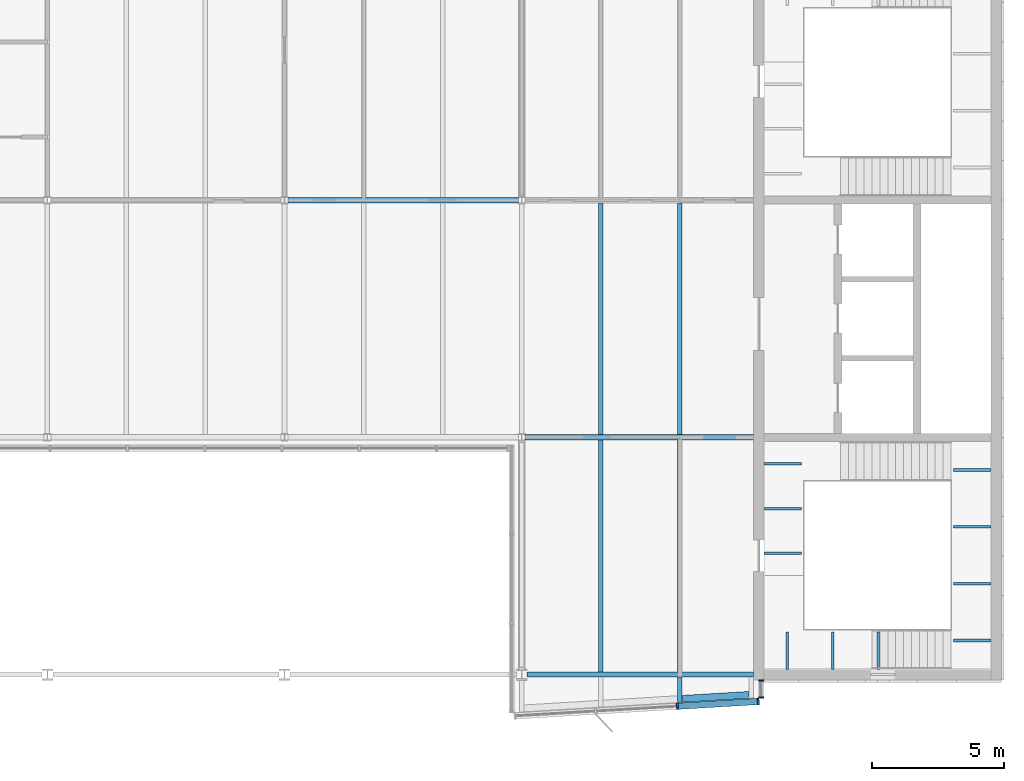
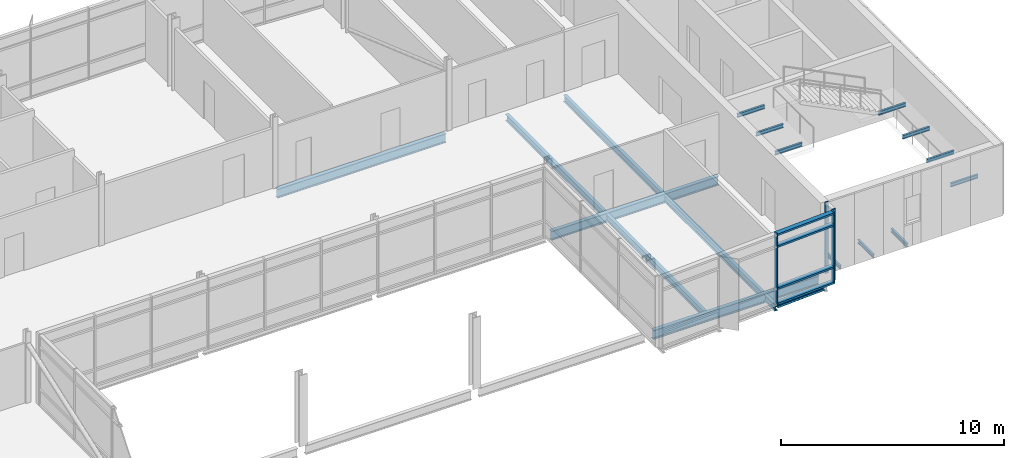
# One storey, part 7 of 20: 19 beams, 8 members, 2 elements without a shape of their own.
"""IFC4 building model written with IfcOpenShell, lengths in metres."""

from ifc_helpers import new_model, si_unit, direction, frame, origin, origin_2d, place, context, subcontext, project, spatial, rectangle, i_section, extrude, material, material_profile, profile_set, type_object, element, aggregate, save


model = new_model("IFC4")

# Units and contexts
model_context = context("Model", 3, precision=1e-05, world=origin(), true_north=direction((0.0, 1.0)))
body_context = subcontext(model_context, "Body", "Model", "MODEL_VIEW")
ifc_project = project(units=[si_unit("LENGTHUNIT", "METRE"), si_unit("AREAUNIT", "SQUARE_METRE"), si_unit("VOLUMEUNIT", "CUBIC_METRE"), si_unit("PLANEANGLEUNIT", "RADIAN"), si_unit("MASSUNIT", "GRAM", prefix="KILO")], contexts=[model_context])

# Site, building, storey
site_placement = place(None, origin())
site = spatial("IfcSite", under=ifc_project, at=site_placement, CompositionType="ELEMENT")
building_placement = place(site_placement, origin())
building = spatial("IfcBuilding", under=site, at=building_placement, Name="Azimuth Sports and Learning Centre", CompositionType="ELEMENT")
storey_placement = place(building_placement, frame((0.0, 0.0, 71.39990234375)))
storey = spatial("IfcBuildingStorey", under=building, at=storey_placement, Name="L16", CompositionType="ELEMENT", Elevation=71.39990234375)

# Beams
ifc_material_1 = material(Name="Steel S355", Category="steel")
ifc_material_profile_1 = material_profile(ifc_material_1, i_section(OverallWidth=0.10009765625, OverallDepth=0.199951171875, WebThickness=0.005615234375, FlangeThickness=0.008544921875, FilletRadius=0.011962890625, at=origin_2d()), Name="IPE 200")
ifc_profile_set_1 = profile_set([ifc_material_profile_1], Name="Steel S355")
beam_type_1 = type_object("IfcBeamType", Name="Beam IPE 200", PredefinedType="BEAM", material=ifc_profile_set_1)
for number, where, z_axis, x_axis, name in (
    (1, (109.0732421875, 90.199951171875, -0.2998046875), (0.0, 1.0, 0.0), (-1.0, 0.0, 0.0), "Landing bracket E1 L16 515"),
    (2, (110.800048828125, 90.199951171875, -0.2998046875), (0.0, 1.0, 0.0), (-1.0, 0.0, 0.0), "Landing bracket E1 L16 516"),
    (3, (112.526611328125, 90.199951171875, -0.2998046875), (0.0, 1.0, 0.0), (-1.0, 0.0, 0.0), "Landing bracket E1 L16 517"),
    (4, (116.800048828125, 91.288818359375, 1.35009765625), (-1.0, 0.0, 0.0), (0.0, -1.0, 0.0), "Landing bracket E1 L16 518"),
    (5, (116.800048828125, 93.4462890625, 1.35009765625), (-1.0, 0.0, 0.0), (0.0, -1.0, 0.0), "Landing bracket E1 L16 519"),
    (6, (116.800048828125, 95.603759765625, 1.35009765625), (-1.0, 0.0, 0.0), (0.0, -1.0, 0.0), "Landing bracket E1 L16 520"),
    (7, (116.800048828125, 97.76123046875, 1.35009765625), (-1.0, 0.0, 0.0), (0.0, -1.0, 0.0), "Landing bracket E1 L16 521"),
    (8, (108.199951171875, 94.598388671875, 3.60009765625), (1.0, 0.0, 0.0), (0.0, 1.0, 0.0), "Landing bracket E1 L16 522"),
    (9, (108.199951171875, 96.294921875, 3.60009765625), (1.0, 0.0, 0.0), (0.0, 1.0, 0.0), "Landing bracket E1 L16 523"),
    (10, (108.199951171875, 97.99169921875, 3.60009765625), (1.0, 0.0, 0.0), (0.0, 1.0, 0.0), "Landing bracket E1 L16 524"),
):
    element("IfcBeam", number, at=place(storey_placement, frame(where, z_axis=z_axis, x_axis=x_axis)), inside=storey, type_object=beam_type_1, Name=name, PredefinedType="BEAM", context=body_context, shape_type="SweptSolid", body=[
        extrude(i_section(OverallWidth=0.10009765625, OverallDepth=0.199951171875, WebThickness=0.005615234375, FlangeThickness=0.008544921875, FilletRadius=0.011962890625, at=origin_2d()), origin(), (0.0, 0.0, 1.0), 1.41015625),
    ])
ifc_material_2 = material(Name="Steel S355", Category="steel")
ifc_material_profile_2 = material_profile(ifc_material_2, i_section(OverallWidth=0.199951171875, OverallDepth=0.5, WebThickness=0.01025390625, FlangeThickness=0.01611328125, FilletRadius=0.02099609375, at=origin_2d()), Name="IPE 500")
ifc_profile_set_2 = profile_set([ifc_material_profile_2], Name="Steel S355")
beam_type_2 = type_object("IfcBeamType", Name="Beam IPE 500", PredefinedType="BEAM", material=ifc_profile_set_2)
beam_1_placement = place(storey_placement, frame((99.2060546875, 90.0, -0.3798828125), z_axis=(1.0, 0.0, 0.0), x_axis=(0.0, 1.0, 0.0)))
element("IfcBeam", 11, at=beam_1_placement, inside=storey, type_object=beam_type_2, Name="Tower girder L16", PredefinedType="BEAM", context=body_context, shape_type="SweptSolid", body=[
    extrude(i_section(OverallWidth=0.199951171875, OverallDepth=0.5, WebThickness=0.01025390625, FlangeThickness=0.01611328125, FilletRadius=0.02099609375, at=origin_2d()), origin(), (0.0, 0.0, 1.0), 8.593994140625),
])
beam_2_placement = place(storey_placement, frame((99.1298828125, 99.0, -0.3798828125), z_axis=(1.0, 0.0, 0.0), x_axis=(0.0, 1.0, 0.0)))
element("IfcBeam", 12, at=beam_2_placement, inside=storey, type_object=beam_type_2, Name="Tower girder L16", PredefinedType="BEAM", context=body_context, shape_type="SweptSolid", body=[
    extrude(i_section(OverallWidth=0.199951171875, OverallDepth=0.5, WebThickness=0.01025390625, FlangeThickness=0.01611328125, FilletRadius=0.02099609375, at=origin_2d()), origin(), (0.0, 0.0, 1.0), 8.670166015625),
])
beam_3_placement = place(storey_placement, frame((90.1298828125, 108.0, -0.3798828125), z_axis=(1.0, 0.0, 0.0), x_axis=(0.0, 1.0, 0.0)))
element("IfcBeam", 13, at=beam_3_placement, inside=storey, type_object=beam_type_2, Name="Tower girder L16", PredefinedType="BEAM", context=body_context, shape_type="SweptSolid", body=[
    extrude(i_section(OverallWidth=0.199951171875, OverallDepth=0.5, WebThickness=0.01025390625, FlangeThickness=0.01611328125, FilletRadius=0.02099609375, at=origin_2d()), origin(), (0.0, 0.0, 1.0), 8.740234375),
])
ifc_material_3 = material(Name="Steel S355", Category="steel")
ifc_material_profile_3 = material_profile(ifc_material_3, i_section(OverallWidth=0.169921875, OverallDepth=0.360107421875, WebThickness=0.008056640625, FlangeThickness=0.0126953125, FilletRadius=0.01806640625, at=origin_2d()), Name="IPE 360")
ifc_profile_set_3 = profile_set([ifc_material_profile_3], Name="Steel S355")
beam_type_3 = type_object("IfcBeamType", Name="Cantilever stub IPE 360", PredefinedType="JOIST", material=ifc_profile_set_3)
beam_4_placement = place(storey_placement, frame((105.0, 89.89990234375, -0.309814453125), z_axis=(0.0, -1.0, 0.0), x_axis=(1.0, 0.0, 0.0)))
element("IfcBeam", 14, at=beam_4_placement, inside=storey, type_object=beam_type_3, Name="Tower cantilever stub", PredefinedType="JOIST", context=body_context, shape_type="SweptSolid", body=[
    extrude(i_section(OverallWidth=0.169921875, OverallDepth=0.360107421875, WebThickness=0.008056640625, FlangeThickness=0.0126953125, FilletRadius=0.01806640625, at=origin_2d()), origin(), (0.0, 0.0, 1.0), 0.9599609375),
])
ifc_material_4 = material(Name="Steel S355", Category="steel")
ifc_material_profile_4 = material_profile(ifc_material_4, i_section(OverallWidth=0.260009765625, OverallDepth=0.25, WebThickness=0.007568359375, FlangeThickness=0.012451171875, FilletRadius=0.02392578125, at=origin_2d()), Name="HEA 260")
ifc_profile_set_4 = profile_set([ifc_material_profile_4], Name="Steel S355")
beam_type_4 = type_object("IfcBeamType", Name="Edge beam HEA 260", PredefinedType="SPANDREL", material=ifc_profile_set_4)
beam_5_placement = place(storey_placement, frame((105.0849609375, 89.0751953125, -0.2548828125), z_axis=(0.998207363591, 0.059850307199, 0.0), x_axis=(-0.059850307199, 0.998207363591, 0.0)))
element("IfcBeam", 15, at=beam_5_placement, inside=storey, type_object=beam_type_4, Name="Tower edge beam", PredefinedType="SPANDREL", context=body_context, shape_type="SweptSolid", body=[
    extrude(i_section(OverallWidth=0.260009765625, OverallDepth=0.25, WebThickness=0.007568359375, FlangeThickness=0.012451171875, FilletRadius=0.02392578125, at=origin_2d()), origin(), (0.0, 0.0, 1.0), 2.549560546875),
])
ifc_material_5 = material(Name="Steel S355", Category="steel")
ifc_material_profile_5 = material_profile(ifc_material_5, i_section(OverallWidth=0.169921875, OverallDepth=0.360107421875, WebThickness=0.008056640625, FlangeThickness=0.0126953125, FilletRadius=0.01806640625, at=origin_2d()), Name="IPE 360")
ifc_profile_set_5 = profile_set([ifc_material_profile_5], Name="Steel S355")
beam_type_5 = type_object("IfcBeamType", Name="Joist IPE 360", PredefinedType="JOIST", material=ifc_profile_set_5)
for number, where, z_axis, x_axis, name in (
    (16, (102.0, 90.10009765625, -0.309814453125), (0.0, 1.0, 0.0), (-1.0, 0.0, 0.0), "Tower joist"),
    (17, (102.0, 99.10009765625, -0.309814453125), (0.0, 1.0, 0.0), (-1.0, 0.0, 0.0), "Tower joist"),
    (18, (105.0, 90.10009765625, -0.309814453125), (0.0, 1.0, 0.0), (-1.0, 0.0, 0.0), "Tower joist"),
    (19, (105.0, 99.10009765625, -0.309814453125), (0.0, 1.0, 0.0), (-1.0, 0.0, 0.0), "Tower joist"),
):
    element("IfcBeam", number, at=place(storey_placement, frame(where, z_axis=z_axis, x_axis=x_axis)), inside=storey, type_object=beam_type_5, Name=name, PredefinedType="JOIST", context=body_context, shape_type="SweptSolid", body=[
        extrude(i_section(OverallWidth=0.169921875, OverallDepth=0.360107421875, WebThickness=0.008056640625, FlangeThickness=0.0126953125, FilletRadius=0.01806640625, at=origin_2d()), origin(), (0.0, 0.0, 1.0), 8.7998046875),
    ])

# Curtain wall, members
ifc_material_6 = material(Name="Aluminium and glass", Category="aluminium")
curtain_wall_type_1 = type_object("IfcCurtainWallType", Name="Curtain wall tower return 180", PredefinedType="NOTDEFINED", material=ifc_material_6)
curtain_wall_1_placement = place(storey_placement, origin())
curtain_wall_1 = element("IfcCurtainWall", 20, at=curtain_wall_1_placement, inside=storey, type_object=curtain_wall_type_1, Name="Curtain wall CW16-007", PredefinedType="NOTDEFINED")
ifc_material_7 = material(Name="Aluminium", Category="aluminium")
ifc_material_profile_6 = material_profile(ifc_material_7, rectangle(XDim=0.179931640625, YDim=0.06005859375, at=origin_2d()), Name="Mullion 60x180")
ifc_profile_set_6 = profile_set([ifc_material_profile_6], Name="Aluminium")
member_type_1 = type_object("IfcMemberType", Name="Mullion 60x180", PredefinedType="MULLION", material=ifc_profile_set_6)
member_1_placement = place(storey_placement, frame((108.090087890625, 89.1298828125, 0.0), z_axis=(0.0, 0.0, 1.0), x_axis=(-1.0, 0.0, 0.0)))
member_1 = element("IfcMember", 21, at=member_1_placement, type_object=member_type_1, Name="CW16-007 mullion 1", PredefinedType="MULLION", context=body_context, shape_type="SweptSolid", body=[
    extrude(rectangle(XDim=0.179931640625, YDim=0.06005859375, at=origin_2d()), origin(), (0.0, 0.0, 1.0), 3.900146484375),
])
member_2_placement = place(storey_placement, frame((108.090087890625, 89.77001953125, 0.0), z_axis=(0.0, 0.0, 1.0), x_axis=(-1.0, 0.0, 0.0)))
member_2 = element("IfcMember", 22, at=member_2_placement, type_object=member_type_1, Name="CW16-007 mullion 2", PredefinedType="MULLION", context=body_context, shape_type="SweptSolid", body=[
    extrude(rectangle(XDim=0.179931640625, YDim=0.06005859375, at=origin_2d()), origin(), (0.0, 0.0, 1.0), 3.900146484375),
])
aggregate(curtain_wall_1, [member_1, member_2])

ifc_material_8 = material(Name="Aluminium and glass", Category="aluminium")
curtain_wall_type_2 = type_object("IfcCurtainWallType", Name="Curtain wall tower south 240", PredefinedType="NOTDEFINED", material=ifc_material_8)
curtain_wall_2_placement = place(storey_placement, origin())
curtain_wall_2 = element("IfcCurtainWall", 23, at=curtain_wall_2_placement, inside=storey, type_object=curtain_wall_type_2, Name="Curtain wall CW16-006", PredefinedType="NOTDEFINED")
ifc_material_9 = material(Name="Aluminium", Category="aluminium")
ifc_material_profile_7 = material_profile(ifc_material_9, rectangle(XDim=0.239990234375, YDim=0.070068359375, at=origin_2d()), Name="Mullion 70x240")
ifc_profile_set_7 = profile_set([ifc_material_profile_7], Name="Aluminium")
member_type_2 = type_object("IfcMemberType", Name="Mullion 70x240", PredefinedType="MULLION", material=ifc_profile_set_7)
member_3_placement = place(storey_placement, frame((104.9072265625, 88.794189453125, 0.0), z_axis=(0.0, 0.0, 1.0), x_axis=(-0.059891991812, 0.998204863401, 0.0)))
member_3 = element("IfcMember", 24, at=member_3_placement, type_object=member_type_2, Name="CW16-006 mullion 3", PredefinedType="MULLION", context=body_context, shape_type="SweptSolid", body=[
    extrude(rectangle(XDim=0.239990234375, YDim=0.070068359375, at=origin_2d()), origin(), (0.0, 0.0, 1.0), 3.900146484375),
])
member_4_placement = place(storey_placement, frame((107.97216796875, 88.97802734375, 0.0), z_axis=(0.0, 0.0, 1.0), x_axis=(-0.059891991812, 0.998204863401, 0.0)))
member_4 = element("IfcMember", 25, at=member_4_placement, type_object=member_type_2, Name="CW16-006 mullion 4", PredefinedType="MULLION", context=body_context, shape_type="SweptSolid", body=[
    extrude(rectangle(XDim=0.239990234375, YDim=0.070068359375, at=origin_2d()), origin(), (0.0, 0.0, 1.0), 3.900146484375),
])
ifc_material_10 = material(Name="Aluminium", Category="aluminium")
ifc_material_profile_8 = material_profile(ifc_material_10, rectangle(XDim=0.239990234375, YDim=0.10009765625, at=origin_2d()), Name="Transom 100x240")
ifc_profile_set_8 = profile_set([ifc_material_profile_8], Name="Aluminium")
member_type_3 = type_object("IfcMemberType", Name="Transom 100x240", PredefinedType="USERDEFINED", material=ifc_profile_set_8)
member_5_placement = place(storey_placement, frame((104.942138671875, 88.79638671875, 0.050048828125), z_axis=(0.998205234603, 0.05988580475, 0.0), x_axis=(-0.05988580475, 0.998205234603, 0.0)))
member_5 = element("IfcMember", 26, at=member_5_placement, type_object=member_type_3, Name="CW16-006 transom 3.1", ObjectType="TRANSOM", PredefinedType="USERDEFINED", context=body_context, shape_type="SweptSolid", body=[
    extrude(rectangle(XDim=0.239990234375, YDim=0.10009765625, at=origin_2d()), origin(), (0.0, 0.0, 1.0), 3.00048828125),
])
member_6_placement = place(storey_placement, frame((104.942138671875, 88.79638671875, 0.900146484375), z_axis=(0.998205234603, 0.05988580475, 0.0), x_axis=(-0.05988580475, 0.998205234603, 0.0)))
member_6 = element("IfcMember", 27, at=member_6_placement, type_object=member_type_3, Name="CW16-006 transom 3.2", ObjectType="TRANSOM", PredefinedType="USERDEFINED", context=body_context, shape_type="SweptSolid", body=[
    extrude(rectangle(XDim=0.239990234375, YDim=0.10009765625, at=origin_2d()), origin(), (0.0, 0.0, 1.0), 3.00048828125),
])
member_7_placement = place(storey_placement, frame((104.942138671875, 88.79638671875, 3.2001953125), z_axis=(0.998205234603, 0.05988580475, 0.0), x_axis=(-0.05988580475, 0.998205234603, 0.0)))
member_7 = element("IfcMember", 28, at=member_7_placement, type_object=member_type_3, Name="CW16-006 transom 3.3", ObjectType="TRANSOM", PredefinedType="USERDEFINED", context=body_context, shape_type="SweptSolid", body=[
    extrude(rectangle(XDim=0.239990234375, YDim=0.10009765625, at=origin_2d()), origin(), (0.0, 0.0, 1.0), 3.00048828125),
])
member_8_placement = place(storey_placement, frame((104.942138671875, 88.79638671875, 3.85009765625), z_axis=(0.998205234603, 0.05988580475, 0.0), x_axis=(-0.05988580475, 0.998205234603, 0.0)))
member_8 = element("IfcMember", 29, at=member_8_placement, type_object=member_type_3, Name="CW16-006 transom 3.4", ObjectType="TRANSOM", PredefinedType="USERDEFINED", context=body_context, shape_type="SweptSolid", body=[
    extrude(rectangle(XDim=0.239990234375, YDim=0.10009765625, at=origin_2d()), origin(), (0.0, 0.0, 1.0), 3.00048828125),
])
aggregate(curtain_wall_2, [member_3, member_4, member_5, member_6, member_7, member_8])

save(model, "model.ifc")
